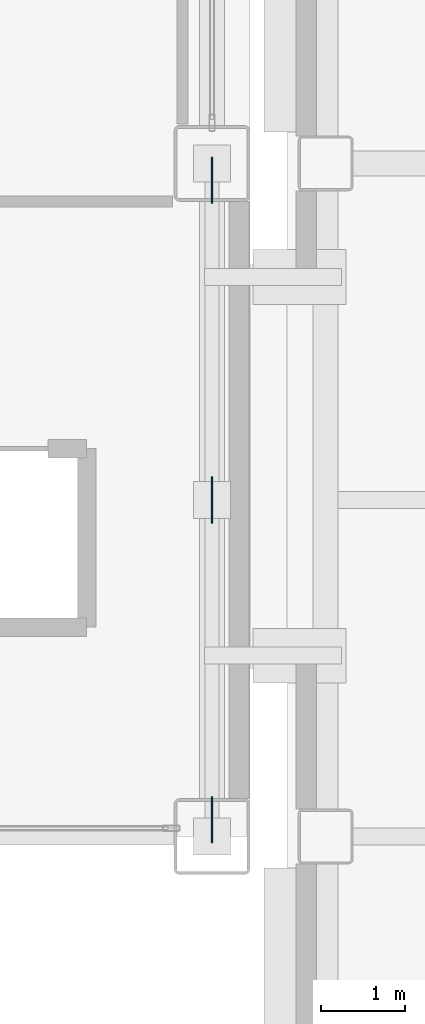
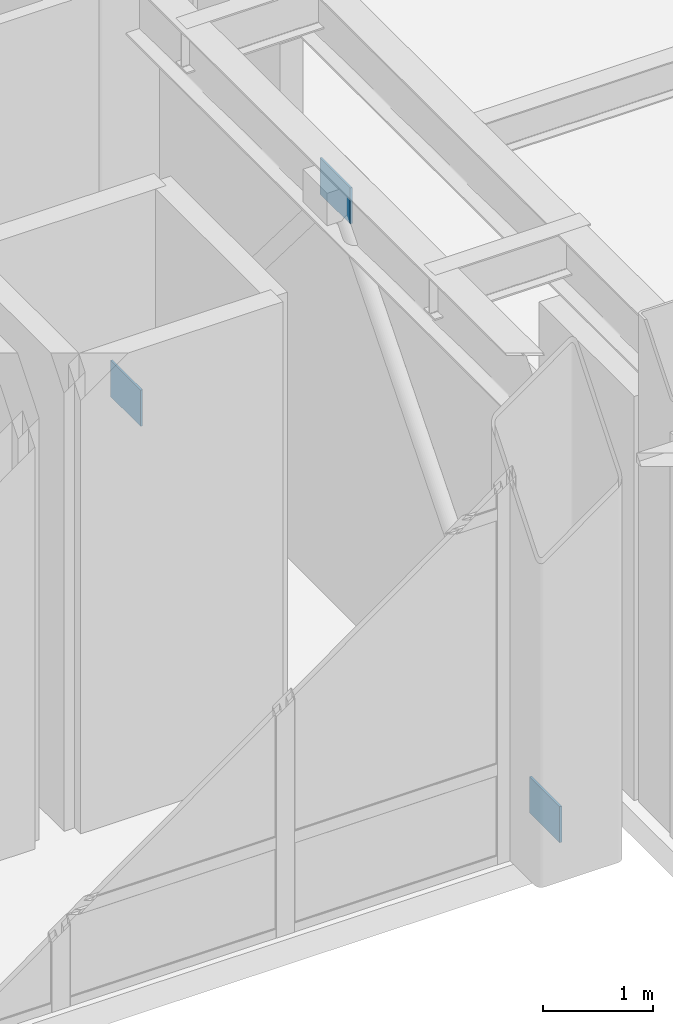
# One storey, part 123 of 165: 3 plates.
"""IFC4 building model written with IfcOpenShell, lengths in metres."""

from ifc_helpers import new_model, si_unit, direction, frame, origin, origin_2d, place, context, subcontext, project, spatial, rectangle, extrude, material, layer, layer_set, type_object, element, save


model = new_model("IFC4")

# Units and contexts
model_context = context("Model", 3, precision=1e-05, world=origin(), true_north=direction((0.0, 1.0)))
body_context = subcontext(model_context, "Body", "Model", "MODEL_VIEW")
ifc_project = project(units=[si_unit("LENGTHUNIT", "METRE"), si_unit("AREAUNIT", "SQUARE_METRE"), si_unit("VOLUMEUNIT", "CUBIC_METRE"), si_unit("PLANEANGLEUNIT", "RADIAN"), si_unit("MASSUNIT", "GRAM", prefix="KILO")], contexts=[model_context])

# Site, building, storey
site_placement = place(None, origin())
site = spatial("IfcSite", under=ifc_project, at=site_placement, CompositionType="ELEMENT")
building_placement = place(site_placement, origin())
building = spatial("IfcBuilding", under=site, at=building_placement, Name="Kazehara Bluff Congress Hotel", CompositionType="ELEMENT")
storey_placement = place(building_placement, origin())
storey = spatial("IfcBuildingStorey", under=building, at=storey_placement, Name="L00", CompositionType="ELEMENT", Elevation=0.0)

# Plates
ifc_material = material(Name="Steel SN490B", Category="steel")
ifc_layer = layer(ifc_material, 0.02197265625)
ifc_layer_set = layer_set([ifc_layer], Name="Steel SN490B")
plate_type = type_object("IfcPlateType", Name="TP-GS-PL2", PredefinedType="USERDEFINED", material=ifc_layer_set)
for number, where, z_axis, x_axis, name in (
    (1, (58.35009765625, 48.64990234375, 0.130126953125), (0.0, 0.0, 1.0), (1.0, 0.0, 0.0), "Chevron foot gusset plate GS-PL2 7"),
    (2, (58.35009765625, 56.25, 0.130126953125), (0.0, 0.0, 1.0), (1.0, 0.0, 0.0), "Chevron foot gusset plate GS-PL2 8"),
    (3, (58.35009765625, 52.449951171875, 4.675048828125), (0.0, 0.0, 1.0), (1.0, 0.0, 0.0), "Chevron gusset plate GS-PL2 9"),
):
    element("IfcPlate", number, at=place(storey_placement, frame(where, z_axis=z_axis, x_axis=x_axis)), inside=storey, type_object=plate_type, Name=name, ObjectType="GUSSET_PLATE", PredefinedType="USERDEFINED", context=body_context, shape_type="SweptSolid", body=[
        extrude(rectangle(XDim=0.02197265625, YDim=0.550048828125, at=origin_2d()), origin(), (0.0, 0.0, 1.0), 0.39990234375),
    ])

save(model, "model.ifc")
